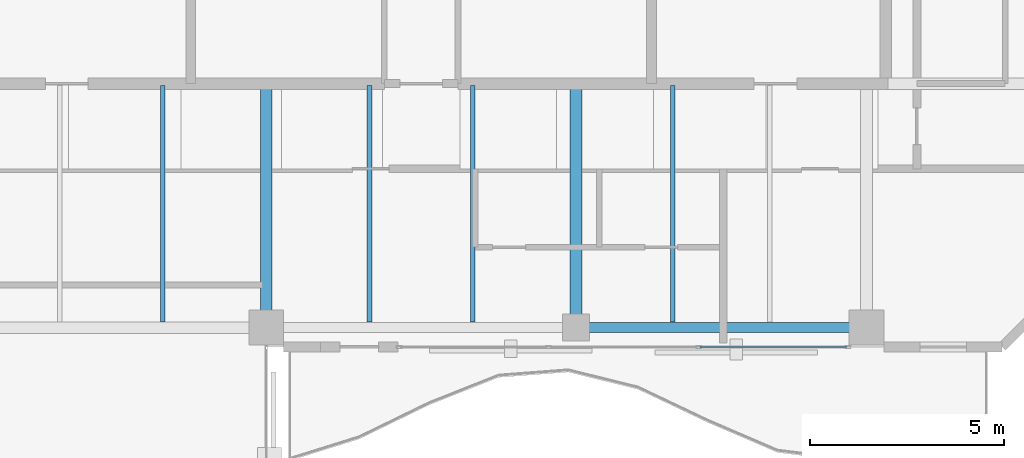
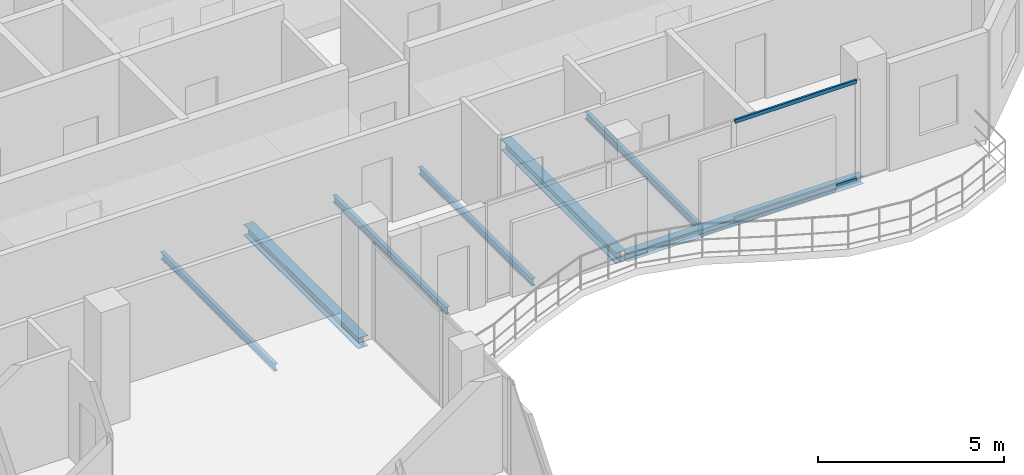
# One storey, part 13 of 23: 7 beams, 2 members, 1 element without a shape of its own.
"""IFC4 building model written with IfcOpenShell, lengths in metres."""

from ifc_helpers import new_model, si_unit, direction, frame, origin, origin_2d, place, context, subcontext, project, spatial, hollow_rectangle, i_section, extrude, material, layer, layer_set, material_profile, profile_set, type_object, element, aggregate, save


model = new_model("IFC4")

# Units and contexts
model_context = context("Model", 3, precision=1e-05, world=origin(), true_north=direction((0.0, 1.0)))
body_context = subcontext(model_context, "Body", "Model", "MODEL_VIEW")
ifc_project = project(units=[si_unit("LENGTHUNIT", "METRE"), si_unit("AREAUNIT", "SQUARE_METRE"), si_unit("VOLUMEUNIT", "CUBIC_METRE"), si_unit("PLANEANGLEUNIT", "RADIAN"), si_unit("MASSUNIT", "GRAM", prefix="KILO")], contexts=[model_context])

# Site, building, storey
site_placement = place(None, origin())
site = spatial("IfcSite", under=ifc_project, at=site_placement, CompositionType="ELEMENT")
building_placement = place(site_placement, origin())
building = spatial("IfcBuilding", under=site, at=building_placement, Name="Catumbela Crestline Tower", CompositionType="ELEMENT")
storey_placement = place(building_placement, frame((0.0, 0.0, 248.8)))
storey = spatial("IfcBuildingStorey", under=building, at=storey_placement, Name="L64", CompositionType="ELEMENT", Elevation=248.8)

# Beams
ifc_material_1 = material(Name="Structural steel S355J2", Category="steel")
ifc_material_profile_1 = material_profile(ifc_material_1, i_section(OverallWidth=0.3, OverallDepth=0.36, WebThickness=0.0125, FlangeThickness=0.0225, FilletRadius=0.027, at=origin_2d()), Name="HEB 360")
ifc_profile_set_1 = profile_set([ifc_material_profile_1], Name="Structural steel S355J2")
beam_type_1 = type_object("IfcBeamType", Name="BG-HEB360", PredefinedType="BEAM", material=ifc_profile_set_1)
for number, where, z_axis, x_axis, name in (
    (1, (24.0, 24.58, -0.44), (0.0, 1.0, 0.0), (-1.0, 0.0, 0.0), "L64 Beam BM-L64-SNS16"),
    (2, (32.0, 24.58, -0.44), (0.0, 1.0, 0.0), (-1.0, 0.0, 0.0), "L64 Beam BM-L64-SNS17"),
):
    element("IfcBeam", number, at=place(storey_placement, frame(where, z_axis=z_axis, x_axis=x_axis)), inside=storey, type_object=beam_type_1, Name=name, PredefinedType="BEAM", context=body_context, shape_type="SweptSolid", body=[
        extrude(i_section(OverallWidth=0.3, OverallDepth=0.36, WebThickness=0.0125, FlangeThickness=0.0225, FilletRadius=0.027, at=origin_2d()), origin(), (0.0, 0.0, 1.0), 6.17),
    ])
ifc_material_profile_2 = material_profile(ifc_material_1, i_section(OverallWidth=0.12, OverallDepth=0.24, WebThickness=0.0062, FlangeThickness=0.0098, FilletRadius=0.015, at=origin_2d()), Name="IPE 240")
ifc_profile_set_2 = profile_set([ifc_material_profile_2], Name="Structural steel S355J2")
beam_type_2 = type_object("IfcBeamType", Name="BJ-IPE240", PredefinedType="JOIST", material=ifc_profile_set_2)
for number, where, z_axis, x_axis, name in (
    (3, (21.333, 24.647, -0.38), (0.0, 1.0, 0.0), (-1.0, 0.0, 0.0), "L64 Joist JS-L64-SP22"),
    (4, (26.667, 24.647, -0.38), (0.0, 1.0, 0.0), (-1.0, 0.0, 0.0), "L64 Joist JS-L64-SP23"),
    (5, (29.333, 24.647, -0.38), (0.0, 1.0, 0.0), (-1.0, 0.0, 0.0), "L64 Joist JS-L64-SP24"),
    (6, (34.5, 24.647, -0.38), (0.0, 1.0, 0.0), (-1.0, 0.0, 0.0), "L64 Joist JS-L64-SP25"),
):
    element("IfcBeam", number, at=place(storey_placement, frame(where, z_axis=z_axis, x_axis=x_axis)), inside=storey, type_object=beam_type_2, Name=name, PredefinedType="JOIST", context=body_context, shape_type="SweptSolid", body=[
        extrude(i_section(OverallWidth=0.12, OverallDepth=0.24, WebThickness=0.0062, FlangeThickness=0.0098, FilletRadius=0.015, at=origin_2d()), origin(), (0.0, 0.0, 1.0), 6.103),
    ])
ifc_material_profile_3 = material_profile(ifc_material_1, i_section(OverallWidth=0.26, OverallDepth=0.25, WebThickness=0.0075, FlangeThickness=0.0125, FilletRadius=0.024, at=origin_2d()), Name="HEA 260")
ifc_profile_set_3 = profile_set([ifc_material_profile_3], Name="Structural steel S355J2")
beam_type_3 = type_object("IfcBeamType", Name="BS-HEA260", PredefinedType="SPANDREL", material=ifc_profile_set_3)
beam_placement = place(storey_placement, frame((32.08, 24.5, -0.385), z_axis=(1.0, 0.0, 0.0), x_axis=(0.0, 1.0, 0.0)))
element("IfcBeam", 7, at=beam_placement, inside=storey, type_object=beam_type_3, Name="L64 Spandrel SP-L64-S05", PredefinedType="SPANDREL", context=body_context, shape_type="SweptSolid", body=[
    extrude(i_section(OverallWidth=0.26, OverallDepth=0.25, WebThickness=0.0075, FlangeThickness=0.0125, FilletRadius=0.024, at=origin_2d()), origin(), (0.0, 0.0, 1.0), 7.34),
])

# Curtain wall, members
ifc_material_2 = material(Name="Aluminium alloy AW-6060-T66", Category="aluminium")
ifc_layer = layer(ifc_material_2, 0.18, Name="Aluminium alloy AW-6060-T66")
ifc_layer_set = layer_set([ifc_layer], Name="Aluminium alloy AW-6060-T66")
curtain_wall_type = type_object("IfcCurtainWallType", Name="CWU-Z4", PredefinedType="USERDEFINED", material=ifc_layer_set)
curtain_wall_placement = place(storey_placement, origin())
curtain_wall = element("IfcCurtainWall", 8, at=curtain_wall_placement, inside=storey, type_object=curtain_wall_type, Name="L64 Unitised Curtain Wall CW-L64-E3S2", ObjectType="UNITISED", PredefinedType="USERDEFINED")
ifc_material_profile_4 = material_profile(ifc_material_2, hollow_rectangle(XDim=0.06, YDim=0.12, WallThickness=0.0035, at=origin_2d()), Name="ALU 120x60x3.5")
ifc_profile_set_4 = profile_set([ifc_material_profile_4], Name="Aluminium alloy AW-6060-T66")
member_type = type_object("IfcMemberType", Name="TRN-120X60", PredefinedType="USERDEFINED", material=ifc_profile_set_4)
member_1_placement = place(storey_placement, frame((35.1992, 24.0, 0.03), z_axis=(1.0, 0.0, 0.0), x_axis=(0.0, 1.0, 0.0)))
member_1 = element("IfcMember", 9, at=member_1_placement, type_object=member_type, Name="CWU-Z4 transom 3.1", ObjectType="TRANSOM", PredefinedType="USERDEFINED", context=body_context, shape_type="SweptSolid", body=[
    extrude(hollow_rectangle(XDim=0.06, YDim=0.12, WallThickness=0.0035, at=origin_2d()), origin(), (0.0, 0.0, 1.0), 3.7858),
])
member_2_placement = place(storey_placement, frame((35.1992, 24.0, 3.24), z_axis=(1.0, 0.0, 0.0), x_axis=(0.0, 1.0, 0.0)))
member_2 = element("IfcMember", 10, at=member_2_placement, type_object=member_type, Name="CWU-Z4 transom 3.2", ObjectType="TRANSOM", PredefinedType="USERDEFINED", context=body_context, shape_type="SweptSolid", body=[
    extrude(hollow_rectangle(XDim=0.06, YDim=0.12, WallThickness=0.0035, at=origin_2d()), origin(), (0.0, 0.0, 1.0), 3.7858),
])
aggregate(curtain_wall, [member_1, member_2])

save(model, "model.ifc")
